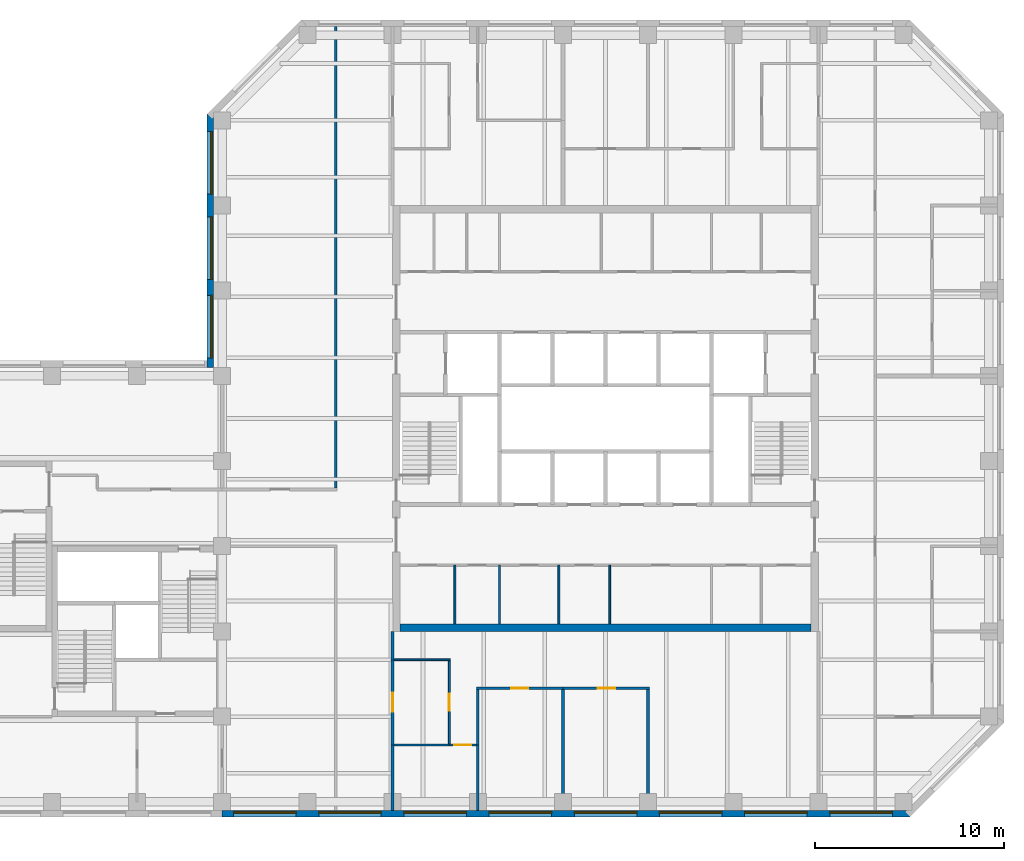
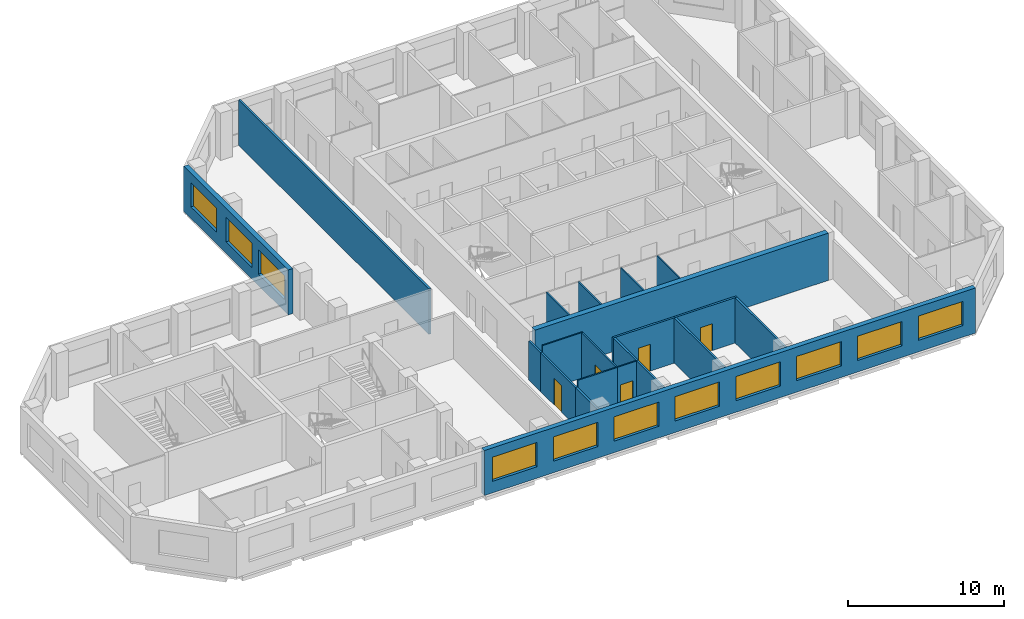
# One storey, part 4 of 9: 21 walls, 11 windows, 5 doors, 16 openings.
"""IFC4 building model written with IfcOpenShell, lengths in metres."""

from ifc_helpers import new_model, si_unit, direction, frame, frame_2d, origin, place, context, subcontext, project, spatial, rectangle, extrude, material, layer, layer_set, constituent, constituent_set, type_object, element, fill, save


model = new_model("IFC4")

# Units and contexts
model_context = context("Model", 3, precision=1e-05, world=origin(), true_north=direction((0.0, 1.0)))
body_context = subcontext(model_context, "Body", "Model", "MODEL_VIEW")
ifc_project = project(units=[si_unit("LENGTHUNIT", "METRE"), si_unit("AREAUNIT", "SQUARE_METRE"), si_unit("VOLUMEUNIT", "CUBIC_METRE"), si_unit("PLANEANGLEUNIT", "RADIAN"), si_unit("MASSUNIT", "GRAM", prefix="KILO")], contexts=[model_context])

# Site, building, storey
site_placement = place(None, origin())
site = spatial("IfcSite", under=ifc_project, at=site_placement, CompositionType="ELEMENT")
building_placement = place(site_placement, origin())
building = spatial("IfcBuilding", under=site, at=building_placement, Name="Quoin Convention Tower", CompositionType="ELEMENT")
storey_placement = place(building_placement, frame((0.0, 0.0, 248.89990234375)))
storey = spatial("IfcBuildingStorey", under=building, at=storey_placement, Name="L65", CompositionType="ELEMENT", Elevation=248.89990234375)

# Wall, opening, door
ifc_material_1 = material(Name="Plasterboard")
ifc_layer_1 = layer(ifc_material_1, 0.012451171875, Name="Finish")
ifc_material_2 = material(Name="Steel stud framing", Category="steel")
ifc_layer_2 = layer(ifc_material_2, 0.125, Name="Structure")
ifc_layer_3 = layer(ifc_material_1, 0.012451171875, Name="Finish")
ifc_layer_set_1 = layer_set([ifc_layer_1, ifc_layer_2, ifc_layer_3], Name="Steel stud framing")
wall_type_1 = type_object("IfcWallType", Name="Acoustic partition 150", PredefinedType="PARTITIONING", material=ifc_layer_set_1)
wall_1_placement = place(storey_placement, frame((49.425048828125, 46.5, 0.0), z_axis=(0.0, 0.0, 1.0), x_axis=(1.0, 0.0, 0.0)))
wall_1 = element("IfcWall", 1, at=wall_1_placement, inside=storey, type_object=wall_type_1, Name="pw-L65-009", PredefinedType="PARTITIONING", context=body_context, shape_type="SweptSolid", body=[
    extrude(rectangle(XDim=4.574951171875, YDim=0.14990234375, at=frame_2d((2.28759765625, 0.0))), origin(), (0.0, 0.0, 1.0), 3.550048828125),
])
opening_1_placement = place(wall_1_placement, frame((1.85009765625, 0.0, 0.0)))
opening_1 = element("IfcOpeningElement", 2, at=opening_1_placement, cuts=wall_1, Name="Opening DOH12-03", PredefinedType="OPENING", context=body_context, shape_type="SweptSolid", body=[
    extrude(rectangle(XDim=0.89990234375, YDim=2.10009765625, at=frame_2d((0.449951171875, 1.050048828125))), frame((0.0, 0.0849609375, 0.0), z_axis=(0.0, -1.0, 0.0), x_axis=(1.0, 0.0, 0.0)), (0.0, 0.0, 1.0), 0.169921875),
])
ifc_material_3 = material(Name="Steel door leaf", Category="steel")
door_type_1 = type_object("IfcDoorType", Name="Office door 900 x 2100", OperationType="SINGLE_SWING_RIGHT", PredefinedType="DOOR", material=ifc_material_3)
door_1_placement = place(opening_1_placement, origin())
door_1 = element("IfcDoor", 3, at=door_1_placement, inside=storey, type_object=door_type_1, Name="dr-L65-13", OperationType="SINGLE_SWING_RIGHT", OverallHeight=2.10009765625, OverallWidth=0.89990234375, PredefinedType="DOOR", context=body_context, shape_type="SweptSolid", body=[
    extrude(rectangle(XDim=0.89990234375, YDim=2.10009765625, at=frame_2d((0.449951171875, 1.050048828125))), frame((0.0, 0.02490234375, 0.0), z_axis=(0.0, -1.0, 0.0), x_axis=(1.0, 0.0, 0.0)), (0.0, 0.0, 1.0), 0.050048828125),
])
fill(opening_1, door_1)

wall_2_placement = place(storey_placement, frame((54.0, 46.5, 0.0), z_axis=(0.0, 0.0, 1.0), x_axis=(1.0, 0.0, 0.0)))
wall_2 = element("IfcWall", 4, at=wall_2_placement, inside=storey, type_object=wall_type_1, Name="pw-L65-010", PredefinedType="PARTITIONING", context=body_context, shape_type="SweptSolid", body=[
    extrude(rectangle(XDim=4.574951171875, YDim=0.14990234375, at=frame_2d((2.28759765625, 0.0))), origin(), (0.0, 0.0, 1.0), 3.550048828125),
])
opening_2_placement = place(wall_2_placement, frame((1.85009765625, 0.0, 0.0)))
opening_2 = element("IfcOpeningElement", 5, at=opening_2_placement, cuts=wall_2, Name="Opening DOH12-04", PredefinedType="OPENING", context=body_context, shape_type="SweptSolid", body=[
    extrude(rectangle(XDim=0.89990234375, YDim=2.10009765625, at=frame_2d((0.449951171875, 1.050048828125))), frame((0.0, 0.0849609375, 0.0), z_axis=(0.0, -1.0, 0.0), x_axis=(1.0, 0.0, 0.0)), (0.0, 0.0, 1.0), 0.169921875),
])
door_2_placement = place(opening_2_placement, origin())
door_2 = element("IfcDoor", 6, at=door_2_placement, inside=storey, type_object=door_type_1, Name="dr-L65-14", OperationType="SINGLE_SWING_RIGHT", OverallHeight=2.10009765625, OverallWidth=0.89990234375, PredefinedType="DOOR", context=body_context, shape_type="SweptSolid", body=[
    extrude(rectangle(XDim=0.89990234375, YDim=2.10009765625, at=frame_2d((0.449951171875, 1.050048828125))), frame((0.0, 0.02490234375, 0.0), z_axis=(0.0, -1.0, 0.0), x_axis=(1.0, 0.0, 0.0)), (0.0, 0.0, 1.0), 0.050048828125),
])
fill(opening_2, door_2)

# Walls
wall_3_placement = place(storey_placement, frame((49.5, 40.050048828125, 0.0), z_axis=(0.0, 0.0, 1.0), x_axis=(0.0, 1.0, 0.0)))
element("IfcWall", 7, at=wall_3_placement, inside=storey, type_object=wall_type_1, Name="pw-L65-036", PredefinedType="PARTITIONING", context=body_context, shape_type="SweptSolid", body=[
    extrude(rectangle(XDim=3.449951171875, YDim=0.14990234375, at=frame_2d((1.72509765625, 0.0))), origin(), (0.0, 0.0, 1.0), 3.550048828125),
])
for number, where, z_axis, x_axis, name in (
    (8, (54.0, 40.050048828125, 0.0), (0.0, 0.0, 1.0), (0.0, 1.0, 0.0), "pw-L65-037"),
    (9, (58.5, 40.050048828125, 0.0), (0.0, 0.0, 1.0), (0.0, 1.0, 0.0), "pw-L65-038"),
):
    element("IfcWall", number, at=place(storey_placement, frame(where, z_axis=z_axis, x_axis=x_axis)), inside=storey, type_object=wall_type_1, Name=name, PredefinedType="PARTITIONING", context=body_context, shape_type="SweptSolid", body=[
        extrude(rectangle(XDim=6.375, YDim=0.14990234375, at=frame_2d((3.1875, 0.0))), origin(), (0.0, 0.0, 1.0), 3.550048828125),
    ])
wall_4_placement = place(storey_placement, frame((49.5, 43.5, 0.0), z_axis=(0.0, 0.0, 1.0), x_axis=(0.0, 1.0, 0.0)))
element("IfcWall", 10, at=wall_4_placement, inside=storey, type_object=wall_type_1, Name="pw-L65-044", PredefinedType="PARTITIONING", context=body_context, shape_type="SweptSolid", body=[
    extrude(rectangle(XDim=2.925048828125, YDim=0.14990234375, at=frame_2d((1.46240234375, 0.0))), origin(), (0.0, 0.0, 1.0), 3.550048828125),
])

# Wall, openings, windows
ifc_material_4 = material(Name="Brick masonry", Category="masonry")
ifc_layer_4 = layer(ifc_material_4, 0.35009765625)
ifc_layer_set_2 = layer_set([ifc_layer_4], Name="Brick masonry")
wall_type_2 = type_object("IfcWallType", Name="Brick facade wall", PredefinedType="STANDARD", material=ifc_layer_set_2)
wall_5_placement = place(storey_placement, frame((36.0, 39.875, 0.0), z_axis=(0.0, 0.0, 1.0), x_axis=(1.0, 0.0, 0.0)))
wall_5 = element("IfcWall", 11, at=wall_5_placement, inside=storey, type_object=wall_type_2, Name="fw-L65-36000_40500", PredefinedType="STANDARD", context=body_context, shape_type="SweptSolid", body=[
    extrude(rectangle(XDim=36.331298828125, YDim=0.35009765625, at=frame_2d((18.16552734375, 0.0))), origin(), (0.0, 0.0, 1.0), 3.525146484375),
])
opening_3_placement = place(wall_5_placement, frame((0.60009765625, 0.0, 0.89990234375)))
opening_3 = element("IfcOpeningElement", 12, at=opening_3_placement, cuts=wall_5, Name="Opening W-02", PredefinedType="OPENING", context=body_context, shape_type="SweptSolid", body=[
    extrude(rectangle(XDim=3.300048828125, YDim=1.89990234375, at=frame_2d((1.64990234375, 0.949951171875))), frame((0.0, 0.18505859375, 0.0), z_axis=(0.0, -1.0, 0.0), x_axis=(1.0, 0.0, 0.0)), (0.0, 0.0, 1.0), 0.3701171875),
])
opening_4_placement = place(wall_5_placement, frame((5.10009765625, 0.0, 0.89990234375)))
opening_4 = element("IfcOpeningElement", 13, at=opening_4_placement, cuts=wall_5, Name="Opening W-02", PredefinedType="OPENING", context=body_context, shape_type="SweptSolid", body=[
    extrude(rectangle(XDim=3.300048828125, YDim=1.89990234375, at=frame_2d((1.64990234375, 0.949951171875))), frame((0.0, 0.18505859375, 0.0), z_axis=(0.0, -1.0, 0.0), x_axis=(1.0, 0.0, 0.0)), (0.0, 0.0, 1.0), 0.3701171875),
])
opening_5_placement = place(wall_5_placement, frame((9.60009765625, 0.0, 0.89990234375)))
opening_5 = element("IfcOpeningElement", 14, at=opening_5_placement, cuts=wall_5, Name="Opening W-02", PredefinedType="OPENING", context=body_context, shape_type="SweptSolid", body=[
    extrude(rectangle(XDim=3.300048828125, YDim=1.89990234375, at=frame_2d((1.64990234375, 0.949951171875))), frame((0.0, 0.18505859375, 0.0), z_axis=(0.0, -1.0, 0.0), x_axis=(1.0, 0.0, 0.0)), (0.0, 0.0, 1.0), 0.3701171875),
])
opening_6_placement = place(wall_5_placement, frame((14.10009765625, 0.0, 0.89990234375)))
opening_6 = element("IfcOpeningElement", 15, at=opening_6_placement, cuts=wall_5, Name="Opening W-02", PredefinedType="OPENING", context=body_context, shape_type="SweptSolid", body=[
    extrude(rectangle(XDim=3.300048828125, YDim=1.89990234375, at=frame_2d((1.64990234375, 0.949951171875))), frame((0.0, 0.18505859375, 0.0), z_axis=(0.0, -1.0, 0.0), x_axis=(1.0, 0.0, 0.0)), (0.0, 0.0, 1.0), 0.3701171875),
])
opening_7_placement = place(wall_5_placement, frame((18.60009765625, 0.0, 0.89990234375)))
opening_7 = element("IfcOpeningElement", 16, at=opening_7_placement, cuts=wall_5, Name="Opening W-02", PredefinedType="OPENING", context=body_context, shape_type="SweptSolid", body=[
    extrude(rectangle(XDim=3.300048828125, YDim=1.89990234375, at=frame_2d((1.64990234375, 0.949951171875))), frame((0.0, 0.18505859375, 0.0), z_axis=(0.0, -1.0, 0.0), x_axis=(1.0, 0.0, 0.0)), (0.0, 0.0, 1.0), 0.3701171875),
])
opening_8_placement = place(wall_5_placement, frame((23.10009765625, 0.0, 0.89990234375)))
opening_8 = element("IfcOpeningElement", 17, at=opening_8_placement, cuts=wall_5, Name="Opening W-02", PredefinedType="OPENING", context=body_context, shape_type="SweptSolid", body=[
    extrude(rectangle(XDim=3.300048828125, YDim=1.89990234375, at=frame_2d((1.64990234375, 0.949951171875))), frame((0.0, 0.18505859375, 0.0), z_axis=(0.0, -1.0, 0.0), x_axis=(1.0, 0.0, 0.0)), (0.0, 0.0, 1.0), 0.3701171875),
])
opening_9_placement = place(wall_5_placement, frame((27.60009765625, 0.0, 0.89990234375)))
opening_9 = element("IfcOpeningElement", 18, at=opening_9_placement, cuts=wall_5, Name="Opening W-02", PredefinedType="OPENING", context=body_context, shape_type="SweptSolid", body=[
    extrude(rectangle(XDim=3.300048828125, YDim=1.89990234375, at=frame_2d((1.64990234375, 0.949951171875))), frame((0.0, 0.18505859375, 0.0), z_axis=(0.0, -1.0, 0.0), x_axis=(1.0, 0.0, 0.0)), (0.0, 0.0, 1.0), 0.3701171875),
])
opening_10_placement = place(wall_5_placement, frame((32.10009765625, 0.0, 0.89990234375)))
opening_10 = element("IfcOpeningElement", 19, at=opening_10_placement, cuts=wall_5, Name="Opening W-02", PredefinedType="OPENING", context=body_context, shape_type="SweptSolid", body=[
    extrude(rectangle(XDim=3.300048828125, YDim=1.89990234375, at=frame_2d((1.64990234375, 0.949951171875))), frame((0.0, 0.18505859375, 0.0), z_axis=(0.0, -1.0, 0.0), x_axis=(1.0, 0.0, 0.0)), (0.0, 0.0, 1.0), 0.3701171875),
])
ifc_material_5 = material(Name="Aluminium", Category="aluminium")
ifc_constituent_1 = constituent(ifc_material_5, Name="Frame")
ifc_material_6 = material(Name="Insulated glass", Category="glass")
ifc_constituent_2 = constituent(ifc_material_6, Name="Glazing")
ifc_constituent_set = constituent_set(constituents=[ifc_constituent_1, ifc_constituent_2], Name="Aluminium")
window_type = type_object("IfcWindowType", Name="Office window", PartitioningType="DOUBLE_PANEL_VERTICAL", PredefinedType="WINDOW", material=ifc_constituent_set)
window_1_placement = place(opening_3_placement, origin())
window_1 = element("IfcWindow", 20, at=window_1_placement, inside=storey, type_object=window_type, Name="win-L65-38250_39875", OverallHeight=1.89990234375, OverallWidth=3.300048828125, PartitioningType="SINGLE_PANEL", PredefinedType="WINDOW", context=body_context, shape_type="SweptSolid", body=[
    extrude(rectangle(XDim=3.300048828125, YDim=1.89990234375, at=frame_2d((1.64990234375, 0.949951171875))), frame((0.0, 0.0849609375, 0.0), z_axis=(0.0, -1.0, 0.0), x_axis=(1.0, 0.0, 0.0)), (0.0, 0.0, 1.0), 0.06005859375),
])
fill(opening_3, window_1)
window_2_placement = place(opening_4_placement, origin())
window_2 = element("IfcWindow", 21, at=window_2_placement, inside=storey, type_object=window_type, Name="win-L65-42750_39875", OverallHeight=1.89990234375, OverallWidth=3.300048828125, PartitioningType="SINGLE_PANEL", PredefinedType="WINDOW", context=body_context, shape_type="SweptSolid", body=[
    extrude(rectangle(XDim=3.300048828125, YDim=1.89990234375, at=frame_2d((1.64990234375, 0.949951171875))), frame((0.0, 0.0849609375, 0.0), z_axis=(0.0, -1.0, 0.0), x_axis=(1.0, 0.0, 0.0)), (0.0, 0.0, 1.0), 0.06005859375),
])
fill(opening_4, window_2)
window_3_placement = place(opening_5_placement, origin())
window_3 = element("IfcWindow", 22, at=window_3_placement, inside=storey, type_object=window_type, Name="win-L65-47250_39875", OverallHeight=1.89990234375, OverallWidth=3.300048828125, PartitioningType="SINGLE_PANEL", PredefinedType="WINDOW", context=body_context, shape_type="SweptSolid", body=[
    extrude(rectangle(XDim=3.300048828125, YDim=1.89990234375, at=frame_2d((1.64990234375, 0.949951171875))), frame((0.0, 0.0849609375, 0.0), z_axis=(0.0, -1.0, 0.0), x_axis=(1.0, 0.0, 0.0)), (0.0, 0.0, 1.0), 0.06005859375),
])
fill(opening_5, window_3)
window_4_placement = place(opening_6_placement, origin())
window_4 = element("IfcWindow", 23, at=window_4_placement, inside=storey, type_object=window_type, Name="win-L65-51750_39875", OverallHeight=1.89990234375, OverallWidth=3.300048828125, PartitioningType="SINGLE_PANEL", PredefinedType="WINDOW", context=body_context, shape_type="SweptSolid", body=[
    extrude(rectangle(XDim=3.300048828125, YDim=1.89990234375, at=frame_2d((1.64990234375, 0.949951171875))), frame((0.0, 0.0849609375, 0.0), z_axis=(0.0, -1.0, 0.0), x_axis=(1.0, 0.0, 0.0)), (0.0, 0.0, 1.0), 0.06005859375),
])
fill(opening_6, window_4)
window_5_placement = place(opening_7_placement, origin())
window_5 = element("IfcWindow", 24, at=window_5_placement, inside=storey, type_object=window_type, Name="win-L65-56250_39875", OverallHeight=1.89990234375, OverallWidth=3.300048828125, PartitioningType="SINGLE_PANEL", PredefinedType="WINDOW", context=body_context, shape_type="SweptSolid", body=[
    extrude(rectangle(XDim=3.300048828125, YDim=1.89990234375, at=frame_2d((1.64990234375, 0.949951171875))), frame((0.0, 0.0849609375, 0.0), z_axis=(0.0, -1.0, 0.0), x_axis=(1.0, 0.0, 0.0)), (0.0, 0.0, 1.0), 0.06005859375),
])
fill(opening_7, window_5)
window_6_placement = place(opening_8_placement, origin())
window_6 = element("IfcWindow", 25, at=window_6_placement, inside=storey, type_object=window_type, Name="win-L65-60750_39875", OverallHeight=1.89990234375, OverallWidth=3.300048828125, PartitioningType="SINGLE_PANEL", PredefinedType="WINDOW", context=body_context, shape_type="SweptSolid", body=[
    extrude(rectangle(XDim=3.300048828125, YDim=1.89990234375, at=frame_2d((1.64990234375, 0.949951171875))), frame((0.0, 0.0849609375, 0.0), z_axis=(0.0, -1.0, 0.0), x_axis=(1.0, 0.0, 0.0)), (0.0, 0.0, 1.0), 0.06005859375),
])
fill(opening_8, window_6)
window_7_placement = place(opening_9_placement, origin())
window_7 = element("IfcWindow", 26, at=window_7_placement, inside=storey, type_object=window_type, Name="win-L65-65250_39875", OverallHeight=1.89990234375, OverallWidth=3.300048828125, PartitioningType="SINGLE_PANEL", PredefinedType="WINDOW", context=body_context, shape_type="SweptSolid", body=[
    extrude(rectangle(XDim=3.300048828125, YDim=1.89990234375, at=frame_2d((1.64990234375, 0.949951171875))), frame((0.0, 0.0849609375, 0.0), z_axis=(0.0, -1.0, 0.0), x_axis=(1.0, 0.0, 0.0)), (0.0, 0.0, 1.0), 0.06005859375),
])
fill(opening_9, window_7)
window_8_placement = place(opening_10_placement, origin())
window_8 = element("IfcWindow", 27, at=window_8_placement, inside=storey, type_object=window_type, Name="win-L65-69750_39875", OverallHeight=1.89990234375, OverallWidth=3.300048828125, PartitioningType="SINGLE_PANEL", PredefinedType="WINDOW", context=body_context, shape_type="SweptSolid", body=[
    extrude(rectangle(XDim=3.300048828125, YDim=1.89990234375, at=frame_2d((1.64990234375, 0.949951171875))), frame((0.0, 0.0849609375, 0.0), z_axis=(0.0, -1.0, 0.0), x_axis=(1.0, 0.0, 0.0)), (0.0, 0.0, 1.0), 0.06005859375),
])
fill(opening_10, window_8)

wall_6_placement = place(storey_placement, frame((35.375, 76.831298828125, 0.0), z_axis=(0.0, 0.0, 1.0), x_axis=(0.0, -1.0, 0.0)))
wall_6 = element("IfcWall", 28, at=wall_6_placement, inside=storey, type_object=wall_type_2, Name="fw-L65-36000_76500", PredefinedType="STANDARD", context=body_context, shape_type="SweptSolid", body=[
    extrude(rectangle(XDim=13.38134765625, YDim=0.35009765625, at=frame_2d((6.690673828125, 0.0))), origin(), (0.0, 0.0, 1.0), 3.525146484375),
])
opening_11_placement = place(wall_6_placement, frame((0.931396484375, 0.0, 0.89990234375)))
opening_11 = element("IfcOpeningElement", 29, at=opening_11_placement, cuts=wall_6, Name="Opening W-02", PredefinedType="OPENING", context=body_context, shape_type="SweptSolid", body=[
    extrude(rectangle(XDim=3.300048828125, YDim=1.89990234375, at=frame_2d((1.64990234375, 0.949951171875))), frame((0.0, 0.18505859375, 0.0), z_axis=(0.0, -1.0, 0.0), x_axis=(1.0, 0.0, 0.0)), (0.0, 0.0, 1.0), 0.3701171875),
])
opening_12_placement = place(wall_6_placement, frame((5.431396484375, 0.0, 0.89990234375)))
opening_12 = element("IfcOpeningElement", 30, at=opening_12_placement, cuts=wall_6, Name="Opening W-02", PredefinedType="OPENING", context=body_context, shape_type="SweptSolid", body=[
    extrude(rectangle(XDim=3.300048828125, YDim=1.89990234375, at=frame_2d((1.64990234375, 0.949951171875))), frame((0.0, 0.18505859375, 0.0), z_axis=(0.0, -1.0, 0.0), x_axis=(1.0, 0.0, 0.0)), (0.0, 0.0, 1.0), 0.3701171875),
])
opening_13_placement = place(wall_6_placement, frame((9.581298828125, 0.0, 0.89990234375)))
opening_13 = element("IfcOpeningElement", 31, at=opening_13_placement, cuts=wall_6, Name="Opening W-02", PredefinedType="OPENING", context=body_context, shape_type="SweptSolid", body=[
    extrude(rectangle(XDim=3.300048828125, YDim=1.89990234375, at=frame_2d((1.64990234375, 0.949951171875))), frame((0.0, 0.18505859375, 0.0), z_axis=(0.0, -1.0, 0.0), x_axis=(1.0, 0.0, 0.0)), (0.0, 0.0, 1.0), 0.3701171875),
])
window_9_placement = place(opening_11_placement, origin())
window_9 = element("IfcWindow", 32, at=window_9_placement, inside=storey, type_object=window_type, Name="win-L65-35375_74250", OverallHeight=1.89990234375, OverallWidth=3.300048828125, PartitioningType="SINGLE_PANEL", PredefinedType="WINDOW", context=body_context, shape_type="SweptSolid", body=[
    extrude(rectangle(XDim=3.300048828125, YDim=1.89990234375, at=frame_2d((1.64990234375, 0.949951171875))), frame((0.0, 0.0849609375, 0.0), z_axis=(0.0, -1.0, 0.0), x_axis=(1.0, 0.0, 0.0)), (0.0, 0.0, 1.0), 0.06005859375),
])
fill(opening_11, window_9)
window_10_placement = place(opening_12_placement, origin())
window_10 = element("IfcWindow", 33, at=window_10_placement, inside=storey, type_object=window_type, Name="win-L65-35375_69750", OverallHeight=1.89990234375, OverallWidth=3.300048828125, PartitioningType="SINGLE_PANEL", PredefinedType="WINDOW", context=body_context, shape_type="SweptSolid", body=[
    extrude(rectangle(XDim=3.300048828125, YDim=1.89990234375, at=frame_2d((1.64990234375, 0.949951171875))), frame((0.0, 0.0849609375, 0.0), z_axis=(0.0, -1.0, 0.0), x_axis=(1.0, 0.0, 0.0)), (0.0, 0.0, 1.0), 0.06005859375),
])
fill(opening_12, window_10)
window_11_placement = place(opening_13_placement, origin())
window_11 = element("IfcWindow", 34, at=window_11_placement, inside=storey, type_object=window_type, Name="win-L65-35375_65250", OverallHeight=1.89990234375, OverallWidth=3.300048828125, PartitioningType="SINGLE_PANEL", PredefinedType="WINDOW", context=body_context, shape_type="SweptSolid", body=[
    extrude(rectangle(XDim=3.300048828125, YDim=1.89990234375, at=frame_2d((1.64990234375, 0.949951171875))), frame((0.0, 0.0849609375, 0.0), z_axis=(0.0, -1.0, 0.0), x_axis=(1.0, 0.0, 0.0)), (0.0, 0.0, 1.0), 0.06005859375),
])
fill(opening_13, window_11)

# Walls
ifc_layer_5 = layer(ifc_material_1, 0.012451171875, Name="Finish")
ifc_layer_6 = layer(ifc_material_2, 0.074951171875, Name="Structure")
ifc_layer_7 = layer(ifc_material_1, 0.012451171875, Name="Finish")
ifc_layer_set_3 = layer_set([ifc_layer_5, ifc_layer_6, ifc_layer_7], Name="Steel stud framing")
wall_type_3 = type_object("IfcWallType", Name="Core partition wall", PredefinedType="PARTITIONING", material=ifc_layer_set_3)
for number, where, z_axis, x_axis, name in (
    (35, (48.28759765625, 49.89990234375, 0.0), (0.0, 0.0, 1.0), (0.0, 1.0, 0.0), "cr-C1-L65-v3288_400"),
    (36, (50.64990234375, 49.89990234375, 0.0), (0.0, 0.0, 1.0), (0.0, 1.0, 0.0), "cr-C1-L65-v5650_400"),
    (37, (53.785888671875, 49.89990234375, 0.0), (0.0, 0.0, 1.0), (0.0, 1.0, 0.0), "cr-C1-L65-v8786_400"),
    (38, (56.47412109375, 49.89990234375, 0.0), (0.0, 0.0, 1.0), (0.0, 1.0, 0.0), "cr-C1-L65-v11474_400"),
):
    element("IfcWall", number, at=place(storey_placement, frame(where, z_axis=z_axis, x_axis=x_axis)), inside=storey, type_object=wall_type_3, Name=name, PredefinedType="PARTITIONING", context=body_context, shape_type="SweptSolid", body=[
        extrude(rectangle(XDim=3.10009765625, YDim=0.10009765625, at=frame_2d((1.550048828125, 0.0))), origin(), (0.0, 0.0, 1.0), 3.550048828125),
    ])
ifc_layer_8 = layer(ifc_material_1, 0.012451171875, Name="Finish")
ifc_layer_9 = layer(ifc_material_2, 0.125, Name="Structure")
ifc_layer_10 = layer(ifc_material_1, 0.012451171875, Name="Finish")
ifc_layer_set_4 = layer_set([ifc_layer_8, ifc_layer_9, ifc_layer_10], Name="Steel stud framing")
wall_type_4 = type_object("IfcWallType", Name="Corridor wall 150", PredefinedType="PARTITIONING", material=ifc_layer_set_4)
wall_7_placement = place(storey_placement, frame((42.0, 57.074951171875, 0.0), z_axis=(0.0, 0.0, 1.0), x_axis=(0.0, 1.0, 0.0)))
element("IfcWall", 39, at=wall_7_placement, inside=storey, type_object=wall_type_4, Name="pw-L65-058", PredefinedType="PARTITIONING", context=body_context, shape_type="SweptSolid", body=[
    extrude(rectangle(XDim=24.375, YDim=0.14990234375, at=frame_2d((12.1875, 0.0))), origin(), (0.0, 0.0, 1.0), 3.550048828125),
])
ifc_layer_11 = layer(ifc_material_1, 0.012451171875, Name="Finish")
ifc_layer_12 = layer(ifc_material_2, 0.125, Name="Structure")
ifc_layer_13 = layer(ifc_material_1, 0.012451171875, Name="Finish")
ifc_layer_set_5 = layer_set([ifc_layer_11, ifc_layer_12, ifc_layer_13], Name="Steel stud framing")
wall_type_5 = type_object("IfcWallType", Name="Corridor wall 150 under beam 528", PredefinedType="PARTITIONING", material=ifc_layer_set_5)
wall_8_placement = place(storey_placement, frame((45.0, 40.050048828125, 0.0), z_axis=(0.0, 0.0, 1.0), x_axis=(0.0, 1.0, 0.0)))
element("IfcWall", 40, at=wall_8_placement, inside=storey, type_object=wall_type_5, Name="pw-L65-035", PredefinedType="PARTITIONING", context=body_context, shape_type="SweptSolid", body=[
    extrude(rectangle(XDim=3.449951171875, YDim=0.14990234375, at=frame_2d((1.72509765625, 0.0))), origin(), (0.0, 0.0, 1.0), 3.022216796875),
])

# Wall, opening, door
wall_9_placement = place(storey_placement, frame((45.0, 43.5, 0.0), z_axis=(0.0, 0.0, 1.0), x_axis=(0.0, 1.0, 0.0)))
wall_9 = element("IfcWall", 41, at=wall_9_placement, inside=storey, type_object=wall_type_5, Name="pw-L65-043", PredefinedType="PARTITIONING", context=body_context, shape_type="SweptSolid", body=[
    extrude(rectangle(XDim=4.5, YDim=0.14990234375, at=frame_2d((2.25, 0.0))), origin(), (0.0, 0.0, 1.0), 3.022216796875),
])
opening_14_placement = place(wall_9_placement, frame((1.75, 0.0, 0.0)))
opening_14 = element("IfcOpeningElement", 42, at=opening_14_placement, cuts=wall_9, Name="Opening DOH12-10", PredefinedType="OPENING", context=body_context, shape_type="SweptSolid", body=[
    extrude(rectangle(XDim=1.0, YDim=2.10009765625, at=frame_2d((0.5, 1.050048828125))), frame((0.0, 0.0849609375, 0.0), z_axis=(0.0, -1.0, 0.0), x_axis=(1.0, 0.0, 0.0)), (0.0, 0.0, 1.0), 0.169921875),
])
door_type_2 = type_object("IfcDoorType", Name="Tenancy entrance door 1000 x 2100", OperationType="DOUBLE_DOOR_SINGLE_SWING", PredefinedType="DOOR", material=ifc_material_3)
door_3_placement = place(opening_14_placement, origin())
door_3 = element("IfcDoor", 43, at=door_3_placement, inside=storey, type_object=door_type_2, Name="dr-L65-11", OperationType="DOUBLE_DOOR_SINGLE_SWING", OverallHeight=2.10009765625, OverallWidth=1.0, PredefinedType="DOOR", context=body_context, shape_type="SweptSolid", body=[
    extrude(rectangle(XDim=1.0, YDim=2.10009765625, at=frame_2d((0.5, 1.050048828125))), frame((0.0, 0.02490234375, 0.0), z_axis=(0.0, -1.0, 0.0), x_axis=(1.0, 0.0, 0.0)), (0.0, 0.0, 1.0), 0.050048828125),
])
fill(opening_14, door_3)

# Walls
wall_10_placement = place(storey_placement, frame((45.0, 48.0, 0.0), z_axis=(0.0, 0.0, 1.0), x_axis=(0.0, 1.0, 0.0)))
element("IfcWall", 44, at=wall_10_placement, inside=storey, type_object=wall_type_5, Name="pw-L65-052", PredefinedType="PARTITIONING", context=body_context, shape_type="SweptSolid", body=[
    extrude(rectangle(XDim=1.5, YDim=0.14990234375, at=frame_2d((0.75, 0.0))), origin(), (0.0, 0.0, 1.0), 3.022216796875),
])
ifc_material_7 = material(Name="Concrete C50", Category="concrete")
ifc_layer_14 = layer(ifc_material_7, 0.39990234375)
ifc_layer_set_6 = layer_set([ifc_layer_14], Name="Concrete C50")
wall_type_6 = type_object("IfcWallType", Name="RC CORE WALL 400 C50", PredefinedType="SHEAR", material=ifc_layer_set_6)
wall_11_placement = place(storey_placement, frame((45.39990234375, 49.699951171875, 0.0), z_axis=(0.0, 0.0, 1.0), x_axis=(1.0, 0.0, 0.0)))
element("IfcWall", 45, at=wall_11_placement, inside=storey, type_object=wall_type_6, Name="cwl-C1-L65-S", PredefinedType="SHEAR", context=body_context, shape_type="SweptSolid", body=[
    extrude(rectangle(XDim=21.7001953125, YDim=0.39990234375, at=frame_2d((10.85009765625, 0.0))), origin(), (0.0, 0.0, 1.0), 3.7001953125),
])
ifc_layer_15 = layer(ifc_material_1, 0.012451171875, Name="Finish")
ifc_layer_16 = layer(ifc_material_2, 0.074951171875, Name="Structure")
ifc_layer_17 = layer(ifc_material_1, 0.012451171875, Name="Finish")
ifc_layer_set_7 = layer_set([ifc_layer_15, ifc_layer_16, ifc_layer_17], Name="Steel stud framing")
wall_type_7 = type_object("IfcWallType", Name="Stud partition 100", PredefinedType="PARTITIONING", material=ifc_layer_set_7)
wall_12_placement = place(storey_placement, frame((45.074951171875, 43.5, 0.0), z_axis=(0.0, 0.0, 1.0), x_axis=(1.0, 0.0, 0.0)))
element("IfcWall", 46, at=wall_12_placement, inside=storey, type_object=wall_type_7, Name="pw-L65-002", PredefinedType="PARTITIONING", context=body_context, shape_type="SweptSolid", body=[
    extrude(rectangle(XDim=2.925048828125, YDim=0.10009765625, at=frame_2d((1.46240234375, 0.0))), origin(), (0.0, 0.0, 1.0), 3.550048828125),
])

# Wall, opening, door
wall_13_placement = place(storey_placement, frame((48.0, 43.5, 0.0), z_axis=(0.0, 0.0, 1.0), x_axis=(1.0, 0.0, 0.0)))
wall_13 = element("IfcWall", 47, at=wall_13_placement, inside=storey, type_object=wall_type_7, Name="pw-L65-003", PredefinedType="PARTITIONING", context=body_context, shape_type="SweptSolid", body=[
    extrude(rectangle(XDim=1.425048828125, YDim=0.10009765625, at=frame_2d((0.71240234375, 0.0))), origin(), (0.0, 0.0, 1.0), 3.550048828125),
])
opening_15_placement = place(wall_13_placement, frame((0.25, 0.0, 0.0)))
opening_15 = element("IfcOpeningElement", 48, at=opening_15_placement, cuts=wall_13, Name="Opening DOH12-01", PredefinedType="OPENING", context=body_context, shape_type="SweptSolid", body=[
    extrude(rectangle(XDim=0.89990234375, YDim=2.10009765625, at=frame_2d((0.449951171875, 1.050048828125))), frame((0.0, 0.06005859375, 0.0), z_axis=(0.0, -1.0, 0.0), x_axis=(1.0, 0.0, 0.0)), (0.0, 0.0, 1.0), 0.1201171875),
])
door_4_placement = place(opening_15_placement, origin())
door_4 = element("IfcDoor", 49, at=door_4_placement, inside=storey, type_object=door_type_1, Name="dr-L65-15", OperationType="SINGLE_SWING_LEFT", OverallHeight=2.10009765625, OverallWidth=0.89990234375, PredefinedType="DOOR", context=body_context, shape_type="SweptSolid", body=[
    extrude(rectangle(XDim=0.89990234375, YDim=2.10009765625, at=frame_2d((0.449951171875, 1.050048828125))), frame((0.0, 0.02490234375, 0.0), z_axis=(0.0, -1.0, 0.0), x_axis=(1.0, 0.0, 0.0)), (0.0, 0.0, 1.0), 0.050048828125),
])
fill(opening_15, door_4)

# Wall
wall_14_placement = place(storey_placement, frame((45.074951171875, 48.0, 0.0), z_axis=(0.0, 0.0, 1.0), x_axis=(1.0, 0.0, 0.0)))
element("IfcWall", 50, at=wall_14_placement, inside=storey, type_object=wall_type_7, Name="pw-L65-011", PredefinedType="PARTITIONING", context=body_context, shape_type="SweptSolid", body=[
    extrude(rectangle(XDim=2.97509765625, YDim=0.10009765625, at=frame_2d((1.487548828125, 0.0))), origin(), (0.0, 0.0, 1.0), 3.550048828125),
])

# Wall, opening, door
wall_15_placement = place(storey_placement, frame((48.0, 43.550048828125, 0.0), z_axis=(0.0, 0.0, 1.0), x_axis=(0.0, 1.0, 0.0)))
wall_15 = element("IfcWall", 51, at=wall_15_placement, inside=storey, type_object=wall_type_7, Name="pw-L65-045", PredefinedType="PARTITIONING", context=body_context, shape_type="SweptSolid", body=[
    extrude(rectangle(XDim=4.39990234375, YDim=0.10009765625, at=frame_2d((2.199951171875, 0.0))), origin(), (0.0, 0.0, 1.0), 3.550048828125),
])
opening_16_placement = place(wall_15_placement, frame((1.75, 0.0, 0.0)))
opening_16 = element("IfcOpeningElement", 52, at=opening_16_placement, cuts=wall_15, Name="Opening DOH12-11", PredefinedType="OPENING", context=body_context, shape_type="SweptSolid", body=[
    extrude(rectangle(XDim=0.89990234375, YDim=2.10009765625, at=frame_2d((0.449951171875, 1.050048828125))), frame((0.0, 0.06005859375, 0.0), z_axis=(0.0, -1.0, 0.0), x_axis=(1.0, 0.0, 0.0)), (0.0, 0.0, 1.0), 0.1201171875),
])
door_5_placement = place(opening_16_placement, frame((0.89990234375, 0.0, 0.0), z_axis=(0.0, 0.0, 1.0), x_axis=(-1.0, 0.0, 0.0)))
door_5 = element("IfcDoor", 53, at=door_5_placement, inside=storey, type_object=door_type_1, Name="dr-L65-12", OperationType="SINGLE_SWING_LEFT", OverallHeight=2.10009765625, OverallWidth=0.89990234375, PredefinedType="DOOR", context=body_context, shape_type="SweptSolid", body=[
    extrude(rectangle(XDim=0.89990234375, YDim=2.10009765625, at=frame_2d((0.449951171875, 1.050048828125))), frame((0.0, 0.02490234375, 0.0), z_axis=(0.0, -1.0, 0.0), x_axis=(1.0, 0.0, 0.0)), (0.0, 0.0, 1.0), 0.050048828125),
])
fill(opening_16, door_5)

save(model, "model.ifc")
